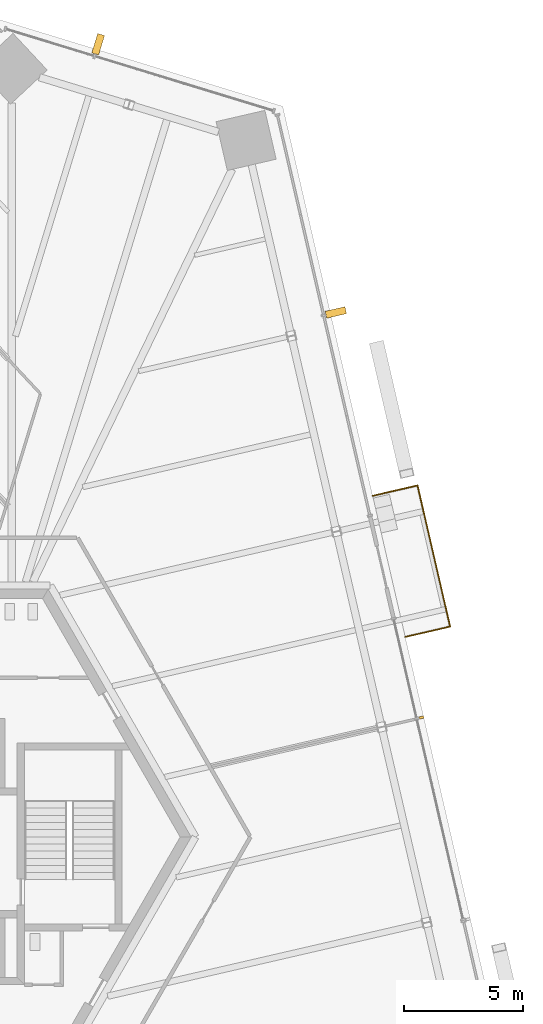
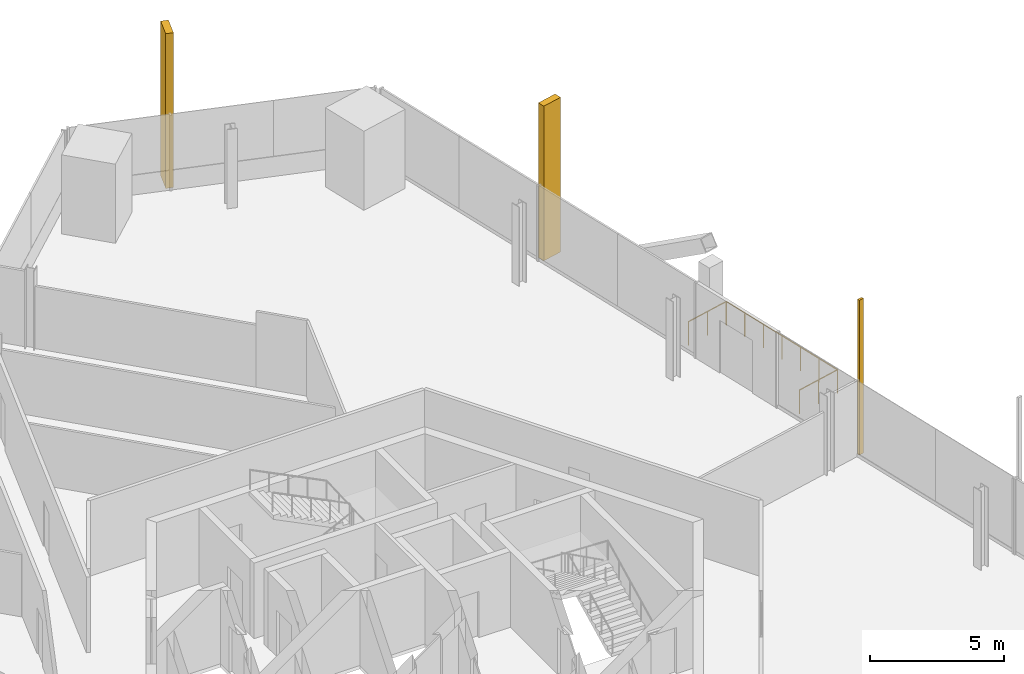
# One storey, part 20 of 23: 3 shading devices, 1 railing.
"""IFC4 building model written with IfcOpenShell, lengths in metres."""

from ifc_helpers import new_model, si_unit, direction, frame, origin, origin_2d, place, context, subcontext, project, spatial, rectangle, circle, extrude, source, transform, mapped, material, type_object, element, save


model = new_model("IFC4")

# Units and contexts
model_context = context("Model", 3, precision=1e-05, world=origin(), true_north=direction((0.0, 1.0)))
body_context = subcontext(model_context, "Body", "Model", "MODEL_VIEW")
ifc_project = project(units=[si_unit("LENGTHUNIT", "METRE"), si_unit("AREAUNIT", "SQUARE_METRE"), si_unit("VOLUMEUNIT", "CUBIC_METRE"), si_unit("PLANEANGLEUNIT", "RADIAN"), si_unit("MASSUNIT", "GRAM", prefix="KILO")], contexts=[model_context])

# Site, building, storey
site_placement = place(None, origin())
site = spatial("IfcSite", under=ifc_project, at=site_placement, CompositionType="ELEMENT")
building_placement = place(site_placement, origin())
building = spatial("IfcBuilding", under=site, at=building_placement, Name="Triune Harvest Tower", CompositionType="ELEMENT")
storey_placement = place(building_placement, frame((0.0, 0.0, 105.5)))
storey = spatial("IfcBuildingStorey", under=building, at=storey_placement, Name="L26", CompositionType="ELEMENT", Elevation=105.5)

# Railing
ifc_material_1 = material(Name="Glass", Category="glass")
railing_type = type_object("IfcRailingType", Name="GD-2 balcony guard 1100", PredefinedType="GUARDRAIL", material=ifc_material_1)
railing_placement = place(storey_placement, frame((20.974365234375, 8.390380859375, 0.0)))
element("IfcRailing", 1, at=railing_placement, inside=storey, type_object=railing_type, Name="Balcony guard B3-F1 L26.8", PredefinedType="GUARDRAIL", context=body_context, shape_type="SweptSolid", body=[
    extrude(circle(Radius=0.02392578125, at=origin_2d()), frame((0.0, 0.0, 1.076171875), z_axis=(0.9743570968, 0.225007217476, 0.0), x_axis=(-0.225007217476, 0.9743570968, 0.0)), (0.0, 0.0, 1.0), 1.931396484375),
    extrude(circle(Radius=0.02392578125, at=origin_2d()), frame((1.8818359375, 0.4345703125, 1.076171875), z_axis=(-0.224968139955, 0.974366120103, 0.0), x_axis=(-0.974366120103, -0.224968139955, 0.0)), (0.0, 0.0, 1.0), 6.072998046875),
    extrude(circle(Radius=0.02392578125, at=origin_2d()), frame((0.515625, 6.351806640625, 1.076171875), z_axis=(-0.974350695774, -0.225034934278, 0.0), x_axis=(0.225034934278, -0.974350695774, 0.0)), (0.0, 0.0, 1.0), 1.93115234375),
    extrude(circle(Radius=0.02099609375, at=origin_2d()), origin(), (0.0, 0.0, 1.0), 1.052001953125),
    extrude(circle(Radius=0.02099609375, at=origin_2d()), frame((0.94091796875, 0.21728515625, 0.0)), (0.0, 0.0, 1.0), 1.052001953125),
    extrude(circle(Radius=0.02099609375, at=origin_2d()), frame((1.8818359375, 0.4345703125, 0.0)), (0.0, 0.0, 1.0), 1.052001953125),
    extrude(circle(Radius=0.02099609375, at=origin_2d()), frame((1.654052734375, 1.4208984375, 0.0)), (0.0, 0.0, 1.0), 1.052001953125),
    extrude(circle(Radius=0.02099609375, at=origin_2d()), frame((1.426513671875, 2.406982421875, 0.0)), (0.0, 0.0, 1.0), 1.052001953125),
    extrude(circle(Radius=0.02099609375, at=origin_2d()), frame((1.19873046875, 3.39306640625, 0.0)), (0.0, 0.0, 1.0), 1.052001953125),
    extrude(circle(Radius=0.02099609375, at=origin_2d()), frame((0.970947265625, 4.37939453125, 0.0)), (0.0, 0.0, 1.0), 1.052001953125),
    extrude(circle(Radius=0.02099609375, at=origin_2d()), frame((0.743408203125, 5.36572265625, 0.0)), (0.0, 0.0, 1.0), 1.052001953125),
    extrude(circle(Radius=0.02099609375, at=origin_2d()), frame((0.515625, 6.351806640625, 0.0)), (0.0, 0.0, 1.0), 1.052001953125),
    extrude(circle(Radius=0.02099609375, at=origin_2d()), frame((-0.42529296875, 6.134521484375, 0.0)), (0.0, 0.0, 1.0), 1.052001953125),
    extrude(circle(Radius=0.02099609375, at=origin_2d()), frame((-1.365966796875, 5.917236328125, 0.0)), (0.0, 0.0, 1.0), 1.052001953125),
])

# Shading devices
ifc_material_2 = material(Name="Aluminium bronze anodised", Category="aluminium")
shared_shape_1 = source(origin(), body_context, "Body", "SweptSolid", [
    extrude(rectangle(XDim=0.10009765625, YDim=0.199951171875, at=origin_2d()), origin(), (0.0, 0.0, 1.0), 7.0400390625),
])
shading_device_placement = place(storey_placement, frame((21.651611328125, 5.011962890625, 0.0), z_axis=(0.0, 0.0, 1.0), x_axis=(-0.22495121687, 0.974370027263, 0.0)))
element("IfcShadingDevice", 2, at=shading_device_placement, inside=storey, material=ifc_material_2, Name="FN-1 fin B3-F1.7 L26", ObjectType="FIN", PredefinedType="USERDEFINED", context=body_context, shape_type="MappedRepresentation", body=[
    mapped(shared_shape_1, transform((0.0, 0.0, 0.0), scale=1.0)),
])
shared_shape_2 = source(origin(), body_context, "Body", "SweptSolid", [
    extrude(rectangle(XDim=0.300048828125, YDim=0.85009765625, at=origin_2d()), origin(), (0.0, 0.0, 1.0), 7.0400390625),
])
for number, where, z_axis, x_axis, name in (
    (3, (18.064208984375, 21.99560546875, 0.0), (0.0, 0.0, 1.0), (-0.22495121687, 0.974370027263, 0.0), "FN-2 fin B3-F1.11 L26"),
    (4, (8.0986328125, 33.24267578125, 0.0), (0.0, 0.0, 1.0), (-0.956303148607, 0.292376962095, 0.0), "FN-2 fin B3-F2.3 L26"),
):
    element("IfcShadingDevice", number, at=place(storey_placement, frame(where, z_axis=z_axis, x_axis=x_axis)), inside=storey, material=ifc_material_2, Name=name, ObjectType="FIN", PredefinedType="USERDEFINED", context=body_context, shape_type="MappedRepresentation", body=[
        mapped(shared_shape_2, transform((0.0, 0.0, 0.0), scale=1.0)),
    ])

save(model, "model.ifc")
